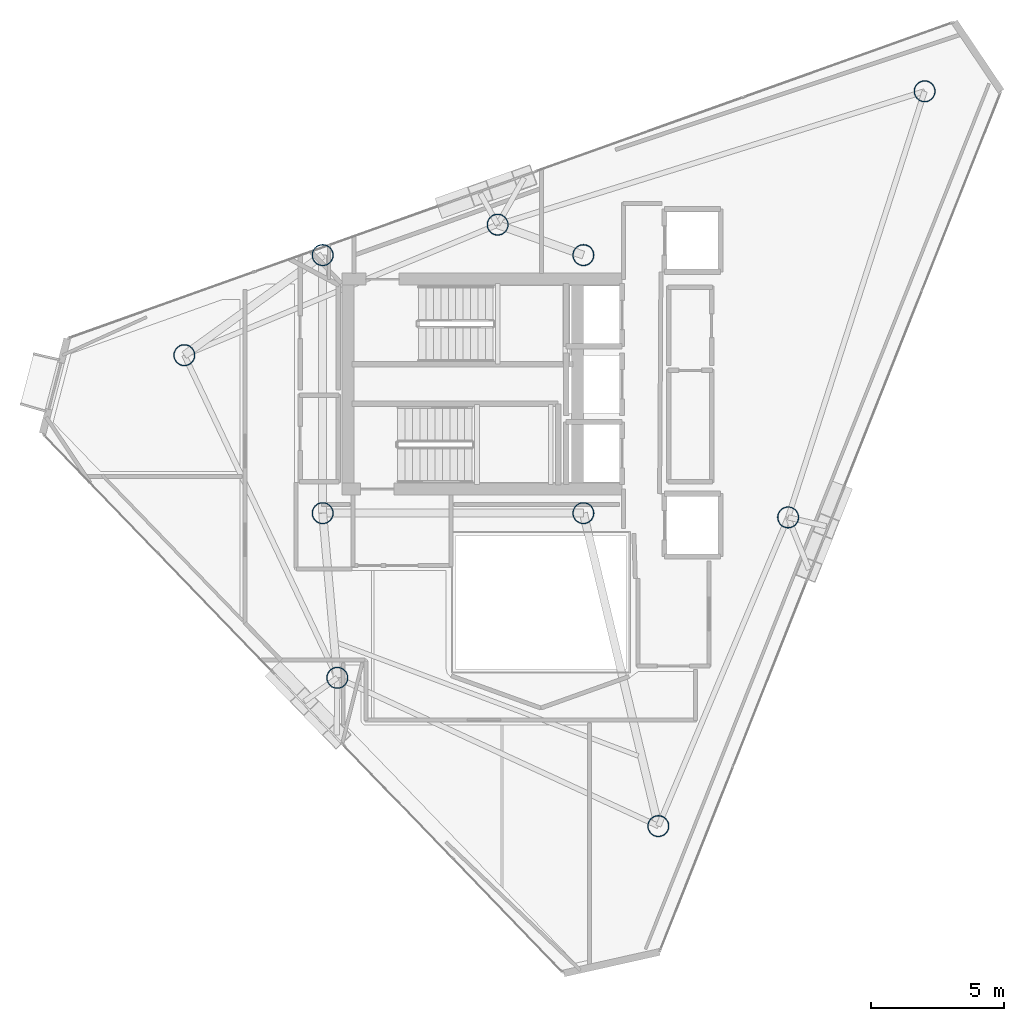
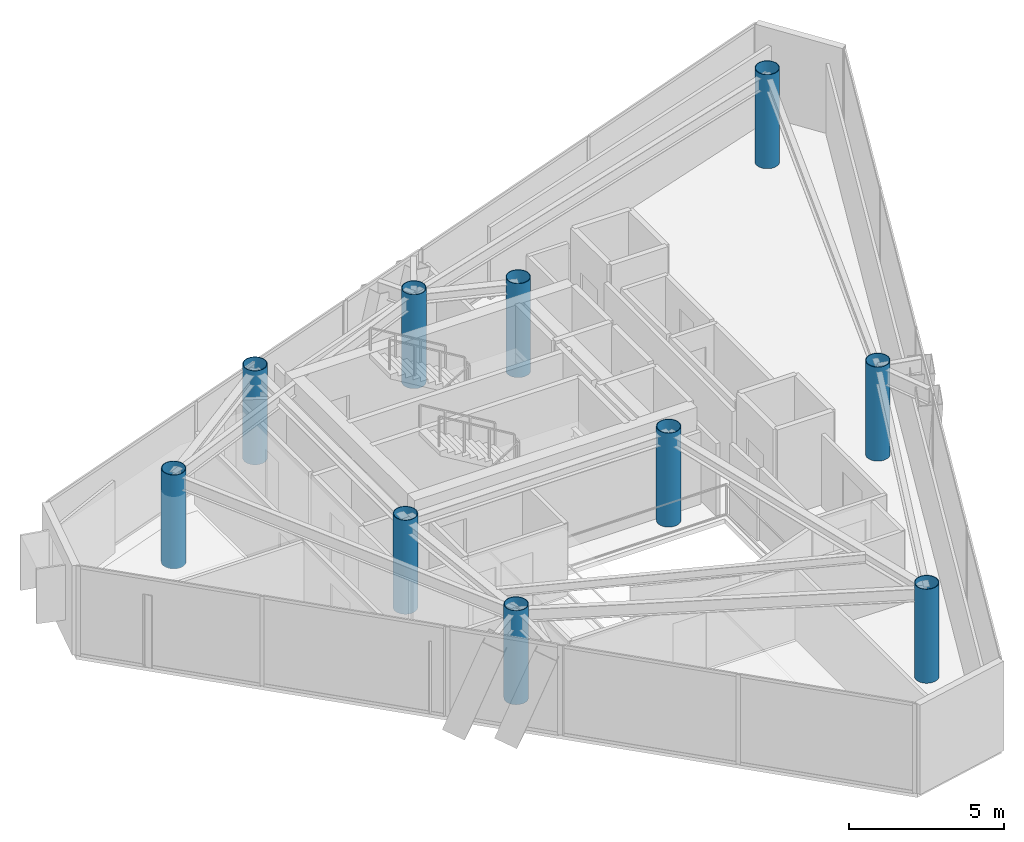
# One storey, part 1 of 18: 10 columns.
"""IFC4 building model written with IfcOpenShell, lengths in metres."""

from ifc_helpers import new_model, si_unit, direction, frame, origin, origin_2d, place, context, subcontext, project, spatial, hollow_circle, extrude, material, material_profile, profile_set, type_object, element, save


model = new_model("IFC4")

# Units and contexts
model_context = context("Model", 3, precision=1e-05, world=origin(), true_north=direction((0.0, 1.0)))
body_context = subcontext(model_context, "Body", "Model", "MODEL_VIEW")
ifc_project = project(units=[si_unit("LENGTHUNIT", "METRE"), si_unit("AREAUNIT", "SQUARE_METRE"), si_unit("VOLUMEUNIT", "CUBIC_METRE"), si_unit("PLANEANGLEUNIT", "RADIAN"), si_unit("MASSUNIT", "GRAM", prefix="KILO")], contexts=[model_context])

# Site, building, storey
site_placement = place(None, origin())
site = spatial("IfcSite", under=ifc_project, at=site_placement, CompositionType="ELEMENT")
building_placement = place(site_placement, origin())
building = spatial("IfcBuilding", under=site, at=building_placement, Name="Qianvela Tower", CompositionType="ELEMENT")
storey_placement = place(building_placement, frame((0.0, 0.0, 337.0)))
storey = spatial("IfcBuildingStorey", under=building, at=storey_placement, Name="L87", CompositionType="ELEMENT", Elevation=337.0)

# Columns
ifc_material = material(Name="Steel Q420GJC", Category="steel")
ifc_material_profile = material_profile(ifc_material, hollow_circle(Radius=0.39990234375, WallThickness=0.02197265625, at=origin_2d()), Name="CFT-800x22")
ifc_profile_set = profile_set([ifc_material_profile], Name="Steel Q420GJC")
column_type = type_object("IfcColumnType", Name="COL-CFT-800x22", PredefinedType="COLUMN", material=ifc_profile_set)
for number, where, z_axis, x_axis, name in (
    (1, (28.60009765625, 33.550048828125, 0.0), (0.0, 0.0, 1.0), (1.0, 0.0, 0.0), "L87 Core Corner Mega-Column CC-NW"),
    (2, (28.60009765625, 23.85009765625, 0.0), (0.0, 0.0, 1.0), (1.0, 0.0, 0.0), "L87 Core Corner Mega-Column CC-SW"),
    (3, (38.39990234375, 33.550048828125, 0.0), (0.0, 0.0, 1.0), (1.0, 0.0, 0.0), "L87 Core Corner Mega-Column CC-NE"),
    (4, (38.39990234375, 23.85009765625, 0.0), (0.0, 0.0, 1.0), (1.0, 0.0, 0.0), "L87 Core Corner Mega-Column CC-SE"),
    (5, (51.22705078125, 39.7080078125, 0.0), (0.0, 0.0, 1.0), (1.0, 0.0, 0.0), "L87 Zone Z8 CFT Mega-Column C1"),
    (6, (35.177001953125, 34.695068359375, 0.0), (0.0, 0.0, 1.0), (1.0, 0.0, 0.0), "L87 Zone Z8 CFT Mega-Column C2"),
    (7, (23.39990234375, 29.7890625, 0.0), (0.0, 0.0, 1.0), (1.0, 0.0, 0.0), "L87 Zone Z8 CFT Mega-Column C3"),
    (8, (29.14990234375, 17.662109375, 0.0), (0.0, 0.0, 1.0), (1.0, 0.0, 0.0), "L87 Zone Z8 CFT Mega-Column C4"),
    (9, (41.217041015625, 12.087890625, 0.0), (0.0, 0.0, 1.0), (1.0, 0.0, 0.0), "L87 Zone Z8 CFT Mega-Column C5"),
    (10, (46.094970703125, 23.69091796875, 0.0), (0.0, 0.0, 1.0), (1.0, 0.0, 0.0), "L87 Zone Z8 CFT Mega-Column C6"),
):
    element("IfcColumn", number, at=place(storey_placement, frame(where, z_axis=z_axis, x_axis=x_axis)), inside=storey, type_object=column_type, Name=name, PredefinedType="COLUMN", context=body_context, shape_type="SweptSolid", body=[
        extrude(hollow_circle(Radius=0.39990234375, WallThickness=0.02197265625, at=origin_2d()), origin(), (0.0, 0.0, 1.0), 3.699951171875),
    ])

save(model, "model.ifc")
